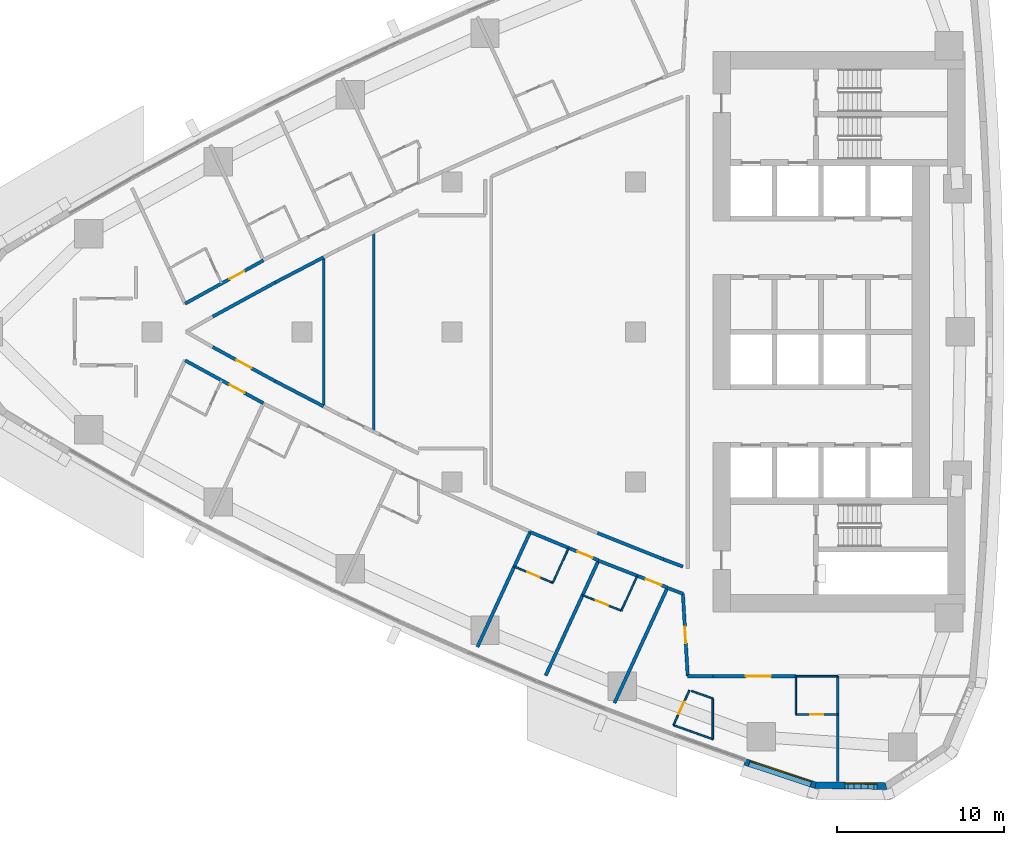
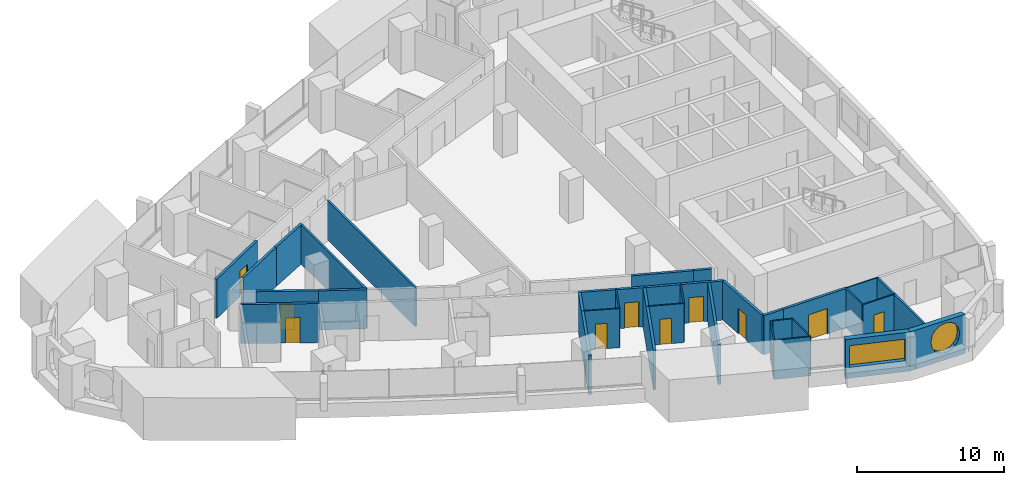
# One storey, part 9 of 17: 33 walls, 11 doors, 2 windows, 13 openings.
"""IFC4 building model written with IfcOpenShell, lengths in metres."""

from ifc_helpers import new_model, si_unit, direction, frame, frame_2d, origin, place, context, subcontext, project, spatial, polyline, rectangle, outline, extrude, material, layer, layer_set, type_object, element, fill, save


model = new_model("IFC4")

# Units and contexts
model_context = context("Model", 3, precision=1e-05, world=origin(), true_north=direction((0.0, 1.0)))
body_context = subcontext(model_context, "Body", "Model", "MODEL_VIEW")
ifc_project = project(units=[si_unit("LENGTHUNIT", "METRE"), si_unit("AREAUNIT", "SQUARE_METRE"), si_unit("VOLUMEUNIT", "CUBIC_METRE"), si_unit("PLANEANGLEUNIT", "RADIAN"), si_unit("MASSUNIT", "GRAM", prefix="KILO")], contexts=[model_context])

# Site, building, storey
site_placement = place(None, origin())
site = spatial("IfcSite", under=ifc_project, at=site_placement, CompositionType="ELEMENT")
building_placement = place(site_placement, origin())
building = spatial("IfcBuilding", under=site, at=building_placement, Name="Ostrand Prow Hotel Tower", CompositionType="ELEMENT")
storey_placement = place(building_placement, frame((0.0, 0.0, 113.300048828125)))
storey = spatial("IfcBuildingStorey", under=building, at=storey_placement, Name="L27", CompositionType="ELEMENT", Elevation=113.300048828125)

# Wall
ifc_material_1 = material(Name="Plasterboard partition")
ifc_layer_1 = layer(ifc_material_1, 0.10009765625)
ifc_layer_set_1 = layer_set([ifc_layer_1], Name="Plasterboard partition")
wall_type_1 = type_object("IfcWallType", Name="Partition 100 bathroom wall", PredefinedType="PARTITIONING", material=ifc_layer_set_1)
wall_1_placement = place(storey_placement, frame((54.630615234375, -22.949951171875, 0.0), z_axis=(0.0, 0.0, 1.0), x_axis=(0.0, 1.0, 0.0)))
element("IfcWall", 1, at=wall_1_placement, inside=storey, type_object=wall_type_1, Name="BATHROOM WALL", PredefinedType="PARTITIONING", context=body_context, shape_type="SweptSolid", body=[
    extrude(rectangle(XDim=2.300048828125, YDim=0.10009765625, at=frame_2d((1.14990234375, 0.0))), origin(), (0.0, 0.0, 1.0), 3.25),
])

# Wall, opening, door
wall_2_placement = place(storey_placement, frame((57.130615234375, -22.949951171875, 0.0), z_axis=(0.0, 0.0, 1.0), x_axis=(-1.0, 0.0, 0.0)))
wall_2 = element("IfcWall", 2, at=wall_2_placement, inside=storey, type_object=wall_type_1, Name="BATHROOM WALL", PredefinedType="PARTITIONING", context=body_context, shape_type="SweptSolid", body=[
    extrude(rectangle(XDim=2.5, YDim=0.10009765625, at=frame_2d((1.25, 0.0))), origin(), (0.0, 0.0, 1.0), 3.25),
])
opening_1_placement = place(wall_2_placement, frame((0.85009765625, 0.0, 0.0)))
opening_1 = element("IfcOpeningElement", 3, at=opening_1_placement, cuts=wall_2, Name="Opening D2", PredefinedType="OPENING", context=body_context, shape_type="SweptSolid", body=[
    extrude(rectangle(XDim=0.800048828125, YDim=2.10009765625, at=frame_2d((0.39990234375, 1.050048828125))), frame((0.0, 0.06005859375, 0.0), z_axis=(0.0, -1.0, 0.0), x_axis=(1.0, 0.0, 0.0)), (0.0, 0.0, 1.0), 0.1201171875),
])
ifc_material_2 = material(Name="Timber door leaf", Category="wood")
door_type_1 = type_object("IfcDoorType", Name="Bathroom door 800", OperationType="SINGLE_SWING_LEFT", PredefinedType="DOOR", material=ifc_material_2)
door_1_placement = place(opening_1_placement, origin())
door_1 = element("IfcDoor", 4, at=door_1_placement, inside=storey, type_object=door_type_1, Name="DOOR", OperationType="SINGLE_SWING_LEFT", OverallHeight=2.10009765625, OverallWidth=0.800048828125, PredefinedType="DOOR", context=body_context, shape_type="SweptSolid", body=[
    extrude(rectangle(XDim=0.800048828125, YDim=2.10009765625, at=frame_2d((0.39990234375, 1.050048828125))), frame((0.0, 0.02490234375, 0.0), z_axis=(0.0, -1.0, 0.0), x_axis=(1.0, 0.0, 0.0)), (0.0, 0.0, 1.0), 0.050048828125),
])
fill(opening_1, door_1)

# Wall
wall_3_placement = place(storey_placement, frame((40.99853515625, -12.983642578125, 0.0), z_axis=(0.0, 0.0, 1.0), x_axis=(-0.417433204355, -0.908707609686, 0.0)))
element("IfcWall", 5, at=wall_3_placement, inside=storey, type_object=wall_type_1, Name="BATHROOM WALL", PredefinedType="PARTITIONING", context=body_context, shape_type="SweptSolid", body=[
    extrude(rectangle(XDim=2.278076171875, YDim=0.10009765625, at=frame_2d((1.13916015625, 0.0))), origin(), (0.0, 0.0, 1.0), 3.25),
])

# Wall, opening, door
wall_4_placement = place(storey_placement, frame((40.047607421875, -15.0537109375, 0.0), z_axis=(0.0, 0.0, 1.0), x_axis=(-0.921042675983, 0.38946166566, 0.0)))
wall_4 = element("IfcWall", 6, at=wall_4_placement, inside=storey, type_object=wall_type_1, Name="BATHROOM WALL", PredefinedType="PARTITIONING", context=body_context, shape_type="SweptSolid", body=[
    extrude(rectangle(XDim=2.501220703125, YDim=0.10009765625, at=frame_2d((1.25048828125, 0.0))), origin(), (0.0, 0.0, 1.0), 3.25),
])
opening_2_placement = place(wall_4_placement, frame((0.85009765625, 0.0, 0.0)))
opening_2 = element("IfcOpeningElement", 7, at=opening_2_placement, cuts=wall_4, Name="Opening D2", PredefinedType="OPENING", context=body_context, shape_type="SweptSolid", body=[
    extrude(rectangle(XDim=0.800048828125, YDim=2.10009765625, at=frame_2d((0.39990234375, 1.050048828125))), frame((0.0, 0.06005859375, 0.0), z_axis=(0.0, -1.0, 0.0), x_axis=(1.0, 0.0, 0.0)), (0.0, 0.0, 1.0), 0.1201171875),
])
door_2_placement = place(opening_2_placement, origin())
door_2 = element("IfcDoor", 8, at=door_2_placement, inside=storey, type_object=door_type_1, Name="DOOR", OperationType="SINGLE_SWING_LEFT", OverallHeight=2.10009765625, OverallWidth=0.800048828125, PredefinedType="DOOR", context=body_context, shape_type="SweptSolid", body=[
    extrude(rectangle(XDim=0.800048828125, YDim=2.10009765625, at=frame_2d((0.39990234375, 1.050048828125))), frame((0.0, 0.02490234375, 0.0), z_axis=(0.0, -1.0, 0.0), x_axis=(1.0, 0.0, 0.0)), (0.0, 0.0, 1.0), 0.050048828125),
])
fill(opening_2, door_2)

# Wall
wall_5_placement = place(storey_placement, frame((45.1142578125, -14.65478515625, 0.0), z_axis=(0.0, 0.0, 1.0), x_axis=(-0.417373525971, -0.908735021785, 0.0)))
element("IfcWall", 9, at=wall_5_placement, inside=storey, type_object=wall_type_1, Name="BATHROOM WALL", PredefinedType="PARTITIONING", context=body_context, shape_type="SweptSolid", body=[
    extrude(rectangle(XDim=2.280029296875, YDim=0.10009765625, at=frame_2d((1.14013671875, 0.0))), origin(), (0.0, 0.0, 1.0), 3.25),
])

# Wall, opening, door
wall_6_placement = place(storey_placement, frame((44.16259765625, -16.726806640625, 0.0), z_axis=(0.0, 0.0, 1.0), x_axis=(-0.928638024739, 0.370987087388, 0.0)))
wall_6 = element("IfcWall", 10, at=wall_6_placement, inside=storey, type_object=wall_type_1, Name="BATHROOM WALL", PredefinedType="PARTITIONING", context=body_context, shape_type="SweptSolid", body=[
    extrude(rectangle(XDim=2.50341796875, YDim=0.10009765625, at=frame_2d((1.251708984375, 0.0))), origin(), (0.0, 0.0, 1.0), 3.25),
])
opening_3_placement = place(wall_6_placement, frame((0.85009765625, 0.0, 0.0)))
opening_3 = element("IfcOpeningElement", 11, at=opening_3_placement, cuts=wall_6, Name="Opening D2", PredefinedType="OPENING", context=body_context, shape_type="SweptSolid", body=[
    extrude(rectangle(XDim=0.800048828125, YDim=2.10009765625, at=frame_2d((0.39990234375, 1.050048828125))), frame((0.0, 0.06005859375, 0.0), z_axis=(0.0, -1.0, 0.0), x_axis=(1.0, 0.0, 0.0)), (0.0, 0.0, 1.0), 0.1201171875),
])
door_3_placement = place(opening_3_placement, origin())
door_3 = element("IfcDoor", 12, at=door_3_placement, inside=storey, type_object=door_type_1, Name="DOOR", OperationType="SINGLE_SWING_LEFT", OverallHeight=2.10009765625, OverallWidth=0.800048828125, PredefinedType="DOOR", context=body_context, shape_type="SweptSolid", body=[
    extrude(rectangle(XDim=0.800048828125, YDim=2.10009765625, at=frame_2d((0.39990234375, 1.050048828125))), frame((0.0, 0.02490234375, 0.0), z_axis=(0.0, -1.0, 0.0), x_axis=(1.0, 0.0, 0.0)), (0.0, 0.0, 1.0), 0.050048828125),
])
fill(opening_3, door_3)

# Wall
wall_7_placement = place(storey_placement, frame((48.36279296875, -21.5400390625, 0.0), z_axis=(0.0, 0.0, 1.0), x_axis=(0.942692856107, -0.333661773425, 0.0)))
element("IfcWall", 13, at=wall_7_placement, inside=storey, type_object=wall_type_1, Name="BATHROOM WALL", PredefinedType="PARTITIONING", context=body_context, shape_type="SweptSolid", body=[
    extrude(rectangle(XDim=1.365234375, YDim=0.10009765625, at=frame_2d((0.6826171875, 0.0))), origin(), (0.0, 0.0, 1.0), 3.25),
])

# Wall, opening, door
wall_8_placement = place(storey_placement, frame((47.285888671875, -23.59228515625, 0.0), z_axis=(0.0, 0.0, 1.0), x_axis=(0.41749308293, 0.908680100864, 0.0)))
wall_8 = element("IfcWall", 14, at=wall_8_placement, inside=storey, type_object=wall_type_1, Name="BATHROOM WALL", PredefinedType="PARTITIONING", context=body_context, shape_type="SweptSolid", body=[
    extrude(rectangle(XDim=2.3056640625, YDim=0.10009765625, at=frame_2d((1.15283203125, 0.0))), origin(), (0.0, 0.0, 1.0), 3.25),
])
opening_4_placement = place(wall_8_placement, frame((0.75, 0.0, 0.0)))
opening_4 = element("IfcOpeningElement", 15, at=opening_4_placement, cuts=wall_8, Name="Opening D2", PredefinedType="OPENING", context=body_context, shape_type="SweptSolid", body=[
    extrude(rectangle(XDim=0.800048828125, YDim=2.10009765625, at=frame_2d((0.39990234375, 1.050048828125))), frame((0.0, 0.06005859375, 0.0), z_axis=(0.0, -1.0, 0.0), x_axis=(1.0, 0.0, 0.0)), (0.0, 0.0, 1.0), 0.1201171875),
])
door_4_placement = place(opening_4_placement, origin())
door_4 = element("IfcDoor", 16, at=door_4_placement, inside=storey, type_object=door_type_1, Name="DOOR", OperationType="SINGLE_SWING_LEFT", OverallHeight=2.10009765625, OverallWidth=0.800048828125, PredefinedType="DOOR", context=body_context, shape_type="SweptSolid", body=[
    extrude(rectangle(XDim=0.800048828125, YDim=2.10009765625, at=frame_2d((0.39990234375, 1.050048828125))), frame((0.0, 0.02490234375, 0.0), z_axis=(0.0, -1.0, 0.0), x_axis=(1.0, 0.0, 0.0)), (0.0, 0.0, 1.0), 0.050048828125),
])
fill(opening_4, door_4)

# Walls
wall_9_placement = place(storey_placement, frame((54.630615234375, -20.655029296875, 0.0), z_axis=(0.0, 0.0, 1.0), x_axis=(1.0, 0.0, 0.0)))
element("IfcWall", 17, at=wall_9_placement, inside=storey, type_object=wall_type_1, Name="BATHROOM WALL", PredefinedType="PARTITIONING", context=body_context, shape_type="SweptSolid", body=[
    extrude(rectangle(XDim=2.5, YDim=0.10009765625, at=frame_2d((1.25, 0.0))), origin(), (0.0, 0.0, 1.0), 3.25),
])
wall_10_placement = place(storey_placement, frame((49.64990234375, -21.99560546875, 0.0), z_axis=(0.0, 0.0, 1.0), x_axis=(0.0, -1.0, 0.0)))
element("IfcWall", 18, at=wall_10_placement, inside=storey, type_object=wall_type_1, Name="BATHROOM WALL", PredefinedType="PARTITIONING", context=body_context, shape_type="SweptSolid", body=[
    extrude(rectangle(XDim=2.439453125, YDim=0.10009765625, at=frame_2d((1.2197265625, 0.0))), origin(), (0.0, 0.0, 1.0), 3.25),
])
wall_11_placement = place(storey_placement, frame((49.64990234375, -24.43505859375, 0.0), z_axis=(0.0, 0.0, 1.0), x_axis=(-0.941933231826, 0.335800218555, 0.0)))
element("IfcWall", 19, at=wall_11_placement, inside=storey, type_object=wall_type_1, Name="BATHROOM WALL", PredefinedType="PARTITIONING", context=body_context, shape_type="SweptSolid", body=[
    extrude(rectangle(XDim=2.509765625, YDim=0.10009765625, at=frame_2d((1.2548828125, 0.0))), origin(), (0.0, 0.0, 1.0), 3.25),
])
ifc_material_3 = material(Name="Plasterboard partition")
ifc_layer_2 = layer(ifc_material_3, 0.14990234375)
ifc_layer_set_2 = layer_set([ifc_layer_2], Name="Plasterboard partition")
wall_type_2 = type_object("IfcWallType", Name="Partition 150 room partition", PredefinedType="PARTITIONING", material=ifc_layer_set_2)
wall_12_placement = place(storey_placement, frame((57.130615234375, -26.97900390625, 0.0), z_axis=(0.0, 0.0, 1.0), x_axis=(0.0, 1.0, 0.0)))
element("IfcWall", 20, at=wall_12_placement, inside=storey, type_object=wall_type_2, Name="ROOM PARTITION", PredefinedType="PARTITIONING", context=body_context, shape_type="SweptSolid", body=[
    extrude(rectangle(XDim=6.3291015625, YDim=0.14990234375, at=frame_2d((3.16455078125, 0.0))), origin(), (0.0, 0.0, 1.0), 3.25),
])
wall_13_placement = place(storey_placement, frame((26.30810546875, -4.47314453125, 0.0), z_axis=(0.0, 0.0, 1.0), x_axis=(0.0, 1.0, 0.0)))
element("IfcWall", 21, at=wall_13_placement, inside=storey, type_object=wall_type_2, Name="ROOM PARTITION", PredefinedType="PARTITIONING", context=body_context, shape_type="SweptSolid", body=[
    extrude(rectangle(XDim=8.9462890625, YDim=0.14990234375, at=frame_2d((4.47314453125, 0.0))), origin(), (0.0, 0.0, 1.0), 3.25),
])
wall_14_placement = place(storey_placement, frame((29.30810546875, -5.982666015625, 0.0), z_axis=(0.0, 0.0, 1.0), x_axis=(0.0, 1.0, 0.0)))
element("IfcWall", 22, at=wall_14_placement, inside=storey, type_object=wall_type_2, Name="ROOM PARTITION", PredefinedType="PARTITIONING", context=body_context, shape_type="SweptSolid", body=[
    extrude(rectangle(XDim=11.96533203125, YDim=0.14990234375, at=frame_2d((5.982666015625, 0.0))), origin(), (0.0, 0.0, 1.0), 3.25),
])

# Wall, opening, door
ifc_material_4 = material(Name="Plasterboard partition")
ifc_layer_3 = layer(ifc_material_4, 0.199951171875)
ifc_layer_set_3 = layer_set([ifc_layer_3], Name="Plasterboard partition")
wall_type_3 = type_object("IfcWallType", Name="Partition 200 corridor wall", PredefinedType="PARTITIONING", material=ifc_layer_set_3)
wall_15_placement = place(storey_placement, frame((18.0, 1.691650390625, 0.0), z_axis=(0.0, 0.0, 1.0), x_axis=(0.875548487611, 0.483130257634, 0.0)))
wall_15 = element("IfcWall", 23, at=wall_15_placement, inside=storey, type_object=wall_type_3, Name="CORRIDOR WALL", PredefinedType="PARTITIONING", context=body_context, shape_type="SweptSolid", body=[
    extrude(rectangle(XDim=5.36669921875, YDim=0.199951171875, at=frame_2d((2.683349609375, 0.0))), origin(), (0.0, 0.0, 1.0), 3.25),
])
opening_5_placement = place(wall_15_placement, frame((3.050048828125, 0.0, 0.0)))
opening_5 = element("IfcOpeningElement", 24, at=opening_5_placement, cuts=wall_15, Name="Opening D1", PredefinedType="OPENING", context=body_context, shape_type="SweptSolid", body=[
    extrude(rectangle(XDim=1.0, YDim=2.10009765625, at=frame_2d((0.5, 1.050048828125))), frame((0.0, 0.10986328125, 0.0), z_axis=(0.0, -1.0, 0.0), x_axis=(1.0, 0.0, 0.0)), (0.0, 0.0, 1.0), 0.219970703125),
])
ifc_material_5 = material(Name="Timber door leaf", Category="wood")
door_type_2 = type_object("IfcDoorType", Name="Guest room door 1000", OperationType="SINGLE_SWING_LEFT", PredefinedType="DOOR", material=ifc_material_5)
door_5_placement = place(opening_5_placement, origin())
door_5 = element("IfcDoor", 25, at=door_5_placement, inside=storey, type_object=door_type_2, Name="DOOR", OperationType="SINGLE_SWING_LEFT", OverallHeight=2.10009765625, OverallWidth=1.0, PredefinedType="DOOR", context=body_context, shape_type="SweptSolid", body=[
    extrude(rectangle(XDim=1.0, YDim=2.10009765625, at=frame_2d((0.5, 1.050048828125))), frame((0.0, 0.02490234375, 0.0), z_axis=(0.0, -1.0, 0.0), x_axis=(1.0, 0.0, 0.0)), (0.0, 0.0, 1.0), 0.050048828125),
])
fill(opening_5, door_5)

wall_16_placement = place(storey_placement, frame((18.0, -1.714599609375, 0.0), z_axis=(0.0, 0.0, 1.0), x_axis=(0.877354946945, -0.479841950096, 0.0)))
wall_16 = element("IfcWall", 26, at=wall_16_placement, inside=storey, type_object=wall_type_3, Name="CORRIDOR WALL", PredefinedType="PARTITIONING", context=body_context, shape_type="SweptSolid", body=[
    extrude(rectangle(XDim=5.35546875, YDim=0.199951171875, at=frame_2d((2.677734375, 0.0))), origin(), (0.0, 0.0, 1.0), 3.25),
])
opening_6_placement = place(wall_16_placement, frame((3.050048828125, 0.0, 0.0)))
opening_6 = element("IfcOpeningElement", 27, at=opening_6_placement, cuts=wall_16, Name="Opening D1R", PredefinedType="OPENING", context=body_context, shape_type="SweptSolid", body=[
    extrude(rectangle(XDim=1.0, YDim=2.10009765625, at=frame_2d((0.5, 1.050048828125))), frame((0.0, 0.10986328125, 0.0), z_axis=(0.0, -1.0, 0.0), x_axis=(1.0, 0.0, 0.0)), (0.0, 0.0, 1.0), 0.219970703125),
])
ifc_material_6 = material(Name="Timber door leaf", Category="wood")
door_type_3 = type_object("IfcDoorType", Name="Guest room door 1000 right", OperationType="SINGLE_SWING_RIGHT", PredefinedType="DOOR", material=ifc_material_6)
door_6_placement = place(opening_6_placement, origin())
door_6 = element("IfcDoor", 28, at=door_6_placement, inside=storey, type_object=door_type_3, Name="DOOR", OperationType="SINGLE_SWING_RIGHT", OverallHeight=2.10009765625, OverallWidth=1.0, PredefinedType="DOOR", context=body_context, shape_type="SweptSolid", body=[
    extrude(rectangle(XDim=1.0, YDim=2.10009765625, at=frame_2d((0.5, 1.050048828125))), frame((0.0, 0.02490234375, 0.0), z_axis=(0.0, -1.0, 0.0), x_axis=(1.0, 0.0, 0.0)), (0.0, 0.0, 1.0), 0.050048828125),
])
fill(opening_6, door_6)

wall_17_placement = place(storey_placement, frame((38.696044921875, -12.0068359375, 0.0), z_axis=(0.0, 0.0, 1.0), x_axis=(0.923970612896, -0.382463470811, 0.0)))
wall_17 = element("IfcWall", 29, at=wall_17_placement, inside=storey, type_object=wall_type_3, Name="CORRIDOR WALL", PredefinedType="PARTITIONING", context=body_context, shape_type="SweptSolid", body=[
    extrude(rectangle(XDim=4.44091796875, YDim=0.199951171875, at=frame_2d((2.220458984375, 0.0))), origin(), (0.0, 0.0, 1.0), 3.25),
])
opening_7_placement = place(wall_17_placement, frame((3.050048828125, 0.0, 0.0)))
opening_7 = element("IfcOpeningElement", 30, at=opening_7_placement, cuts=wall_17, Name="Opening D1R", PredefinedType="OPENING", context=body_context, shape_type="SweptSolid", body=[
    extrude(rectangle(XDim=1.0, YDim=2.10009765625, at=frame_2d((0.5, 1.050048828125))), frame((0.0, 0.10986328125, 0.0), z_axis=(0.0, -1.0, 0.0), x_axis=(1.0, 0.0, 0.0)), (0.0, 0.0, 1.0), 0.219970703125),
])
door_7_placement = place(opening_7_placement, origin())
door_7 = element("IfcDoor", 31, at=door_7_placement, inside=storey, type_object=door_type_3, Name="DOOR", OperationType="SINGLE_SWING_RIGHT", OverallHeight=2.10009765625, OverallWidth=1.0, PredefinedType="DOOR", context=body_context, shape_type="SweptSolid", body=[
    extrude(rectangle(XDim=1.0, YDim=2.10009765625, at=frame_2d((0.5, 1.050048828125))), frame((0.0, 0.02490234375, 0.0), z_axis=(0.0, -1.0, 0.0), x_axis=(1.0, 0.0, 0.0)), (0.0, 0.0, 1.0), 0.050048828125),
])
fill(opening_7, door_7)

wall_18_placement = place(storey_placement, frame((42.791015625, -13.7236328125, 0.0), z_axis=(0.0, 0.0, 1.0), x_axis=(0.931672401616, -0.363299512891, 0.0)))
wall_18 = element("IfcWall", 32, at=wall_18_placement, inside=storey, type_object=wall_type_3, Name="CORRIDOR WALL", PredefinedType="PARTITIONING", context=body_context, shape_type="SweptSolid", body=[
    extrude(rectangle(XDim=4.4453125, YDim=0.199951171875, at=frame_2d((2.22265625, 0.0))), origin(), (0.0, 0.0, 1.0), 3.25),
])
opening_8_placement = place(wall_18_placement, frame((3.050048828125, 0.0, 0.0)))
opening_8 = element("IfcOpeningElement", 33, at=opening_8_placement, cuts=wall_18, Name="Opening D1R", PredefinedType="OPENING", context=body_context, shape_type="SweptSolid", body=[
    extrude(rectangle(XDim=1.0, YDim=2.10009765625, at=frame_2d((0.5, 1.050048828125))), frame((0.0, 0.10986328125, 0.0), z_axis=(0.0, -1.0, 0.0), x_axis=(1.0, 0.0, 0.0)), (0.0, 0.0, 1.0), 0.219970703125),
])
door_8_placement = place(opening_8_placement, origin())
door_8 = element("IfcDoor", 34, at=door_8_placement, inside=storey, type_object=door_type_3, Name="DOOR", OperationType="SINGLE_SWING_RIGHT", OverallHeight=2.10009765625, OverallWidth=1.0, PredefinedType="DOOR", context=body_context, shape_type="SweptSolid", body=[
    extrude(rectangle(XDim=1.0, YDim=2.10009765625, at=frame_2d((0.5, 1.050048828125))), frame((0.0, 0.02490234375, 0.0), z_axis=(0.0, -1.0, 0.0), x_axis=(1.0, 0.0, 0.0)), (0.0, 0.0, 1.0), 0.050048828125),
])
fill(opening_8, door_8)

wall_19_placement = place(storey_placement, frame((23.40673828125, -2.9619140625, 0.0), z_axis=(0.0, 0.0, 1.0), x_axis=(-0.877465075585, 0.479640533242, 0.0)))
wall_19 = element("IfcWall", 35, at=wall_19_placement, inside=storey, type_object=wall_type_3, Name="CORRIDOR WALL", PredefinedType="PARTITIONING", context=body_context, shape_type="SweptSolid", body=[
    extrude(rectangle(XDim=4.273193359375, YDim=0.199951171875, at=frame_2d((2.13671875, 0.0))), origin(), (0.0, 0.0, 1.0), 3.25),
])
opening_9_placement = place(wall_19_placement, frame((1.636474609375, 0.0, 0.0)))
opening_9 = element("IfcOpeningElement", 36, at=opening_9_placement, cuts=wall_19, Name="Opening D1R", PredefinedType="OPENING", context=body_context, shape_type="SweptSolid", body=[
    extrude(rectangle(XDim=1.0, YDim=2.10009765625, at=frame_2d((0.5, 1.050048828125))), frame((0.0, 0.10986328125, 0.0), z_axis=(0.0, -1.0, 0.0), x_axis=(1.0, 0.0, 0.0)), (0.0, 0.0, 1.0), 0.219970703125),
])
door_9_placement = place(opening_9_placement, origin())
door_9 = element("IfcDoor", 37, at=door_9_placement, inside=storey, type_object=door_type_3, Name="DOOR", OperationType="SINGLE_SWING_RIGHT", OverallHeight=2.10009765625, OverallWidth=1.0, PredefinedType="DOOR", context=body_context, shape_type="SweptSolid", body=[
    extrude(rectangle(XDim=1.0, YDim=2.10009765625, at=frame_2d((0.5, 1.050048828125))), frame((0.0, 0.02490234375, 0.0), z_axis=(0.0, -1.0, 0.0), x_axis=(1.0, 0.0, 0.0)), (0.0, 0.0, 1.0), 0.050048828125),
])
fill(opening_9, door_9)

# Walls
wall_20_placement = place(storey_placement, frame((19.6572265625, 0.912353515625, 0.0), z_axis=(0.0, 0.0, 1.0), x_axis=(0.877465075585, 0.479640533242, 0.0)))
element("IfcWall", 38, at=wall_20_placement, inside=storey, type_object=wall_type_3, Name="CORRIDOR WALL", PredefinedType="PARTITIONING", context=body_context, shape_type="SweptSolid", body=[
    extrude(rectangle(XDim=4.273193359375, YDim=0.199951171875, at=frame_2d((2.13671875, 0.0))), origin(), (0.0, 0.0, 1.0), 3.25),
])
for number, where, z_axis, x_axis, name in (
    (39, (23.40673828125, 2.9619140625, 0.0), (0.0, 0.0, 1.0), (0.886901344009, 0.461958879116, 0.0), "CORRIDOR WALL"),
    (40, (26.30810546875, -4.47314453125, 0.0), (0.0, 0.0, 1.0), (-0.886901344009, 0.461958879116, 0.0), "CORRIDOR WALL"),
):
    element("IfcWall", number, at=place(storey_placement, frame(where, z_axis=z_axis, x_axis=x_axis)), inside=storey, type_object=wall_type_3, Name=name, PredefinedType="PARTITIONING", context=body_context, shape_type="SweptSolid", body=[
        extrude(rectangle(XDim=3.271240234375, YDim=0.199951171875, at=frame_2d((1.6357421875, 0.0))), origin(), (0.0, 0.0, 1.0), 3.25),
    ])
wall_21_placement = place(storey_placement, frame((46.69580078125, -13.646728515625, 0.0), z_axis=(0.0, 0.0, 1.0), x_axis=(-0.928638161177, 0.370986745864, 0.0)))
element("IfcWall", 41, at=wall_21_placement, inside=storey, type_object=wall_type_3, Name="CORRIDOR WALL", PredefinedType="PARTITIONING", context=body_context, shape_type="SweptSolid", body=[
    extrude(rectangle(XDim=4.27294921875, YDim=0.199951171875, at=frame_2d((2.136474609375, 0.0))), origin(), (0.0, 0.0, 1.0), 3.25),
])

# Wall, opening, door
wall_22_placement = place(storey_placement, frame((49.64990234375, -20.655029296875, 0.0), z_axis=(0.0, 0.0, 1.0), x_axis=(1.0, 0.0, 0.0)))
wall_22 = element("IfcWall", 42, at=wall_22_placement, inside=storey, type_object=wall_type_3, Name="CORRIDOR WALL", PredefinedType="PARTITIONING", context=body_context, shape_type="SweptSolid", body=[
    extrude(rectangle(XDim=4.9755859375, YDim=0.199951171875, at=frame_2d((2.48779296875, 0.0))), origin(), (0.0, 0.0, 1.0), 3.25),
])
opening_10_placement = place(wall_22_placement, frame((1.98779296875, 0.0, 0.0)))
opening_10 = element("IfcOpeningElement", 43, at=opening_10_placement, cuts=wall_22, Name="Opening D15", PredefinedType="OPENING", context=body_context, shape_type="SweptSolid", body=[
    extrude(rectangle(XDim=1.5, YDim=2.10009765625, at=frame_2d((0.75, 1.050048828125))), frame((0.0, 0.10986328125, 0.0), z_axis=(0.0, -1.0, 0.0), x_axis=(1.0, 0.0, 0.0)), (0.0, 0.0, 1.0), 0.219970703125),
])
ifc_material_7 = material(Name="Timber door leaf", Category="wood")
door_type_4 = type_object("IfcDoorType", Name="Double door 1500", OperationType="DOUBLE_DOOR_SINGLE_SWING", PredefinedType="DOOR", material=ifc_material_7)
door_10_placement = place(opening_10_placement, origin())
door_10 = element("IfcDoor", 44, at=door_10_placement, inside=storey, type_object=door_type_4, Name="DOOR", OperationType="DOUBLE_DOOR_SINGLE_SWING", OverallHeight=2.10009765625, OverallWidth=1.5, PredefinedType="DOOR", context=body_context, shape_type="SweptSolid", body=[
    extrude(rectangle(XDim=1.5, YDim=2.10009765625, at=frame_2d((0.75, 1.050048828125))), frame((0.0, 0.02490234375, 0.0), z_axis=(0.0, -1.0, 0.0), x_axis=(1.0, 0.0, 0.0)), (0.0, 0.0, 1.0), 0.050048828125),
])
fill(opening_10, door_10)

# Walls
wall_23_placement = place(storey_placement, frame((46.92431640625, -15.356689453125, 0.0), z_axis=(0.0, 0.0, 1.0), x_axis=(0.935803526171, -0.35252199989, 0.0)))
element("IfcWall", 45, at=wall_23_placement, inside=storey, type_object=wall_type_3, Name="CORRIDOR WALL", PredefinedType="PARTITIONING", context=body_context, shape_type="SweptSolid", body=[
    extrude(rectangle(XDim=0.99462890625, YDim=0.199951171875, at=frame_2d((0.497314453125, 0.0))), origin(), (0.0, 0.0, 1.0), 3.25),
])
wall_24_placement = place(storey_placement, frame((47.85498046875, -14.0830078125, 0.0), z_axis=(0.0, 0.0, 1.0), x_axis=(-0.935907269358, 0.352246480696, 0.0)))
element("IfcWall", 46, at=wall_24_placement, inside=storey, type_object=wall_type_3, Name="CORRIDOR WALL", PredefinedType="PARTITIONING", context=body_context, shape_type="SweptSolid", body=[
    extrude(rectangle(XDim=1.238525390625, YDim=0.199951171875, at=frame_2d((0.619140625, 0.0))), origin(), (0.0, 0.0, 1.0), 3.25),
])

# Wall, opening, door
wall_25_placement = place(storey_placement, frame((47.85498046875, -15.707275390625, 0.0), z_axis=(0.0, 0.0, 1.0), x_axis=(0.058568850083, -0.998283371493, 0.0)))
wall_25 = element("IfcWall", 47, at=wall_25_placement, inside=storey, type_object=wall_type_3, Name="CORRIDOR WALL", PredefinedType="PARTITIONING", context=body_context, shape_type="SweptSolid", body=[
    extrude(rectangle(XDim=4.9521484375, YDim=0.199951171875, at=frame_2d((2.47607421875, 0.0))), origin(), (0.0, 0.0, 1.0), 3.25),
])
opening_11_placement = place(wall_25_placement, frame((1.97607421875, 0.0, 0.0)))
opening_11 = element("IfcOpeningElement", 48, at=opening_11_placement, cuts=wall_25, Name="Opening D1", PredefinedType="OPENING", context=body_context, shape_type="SweptSolid", body=[
    extrude(rectangle(XDim=1.0, YDim=2.10009765625, at=frame_2d((0.5, 1.050048828125))), frame((0.0, 0.10986328125, 0.0), z_axis=(0.0, -1.0, 0.0), x_axis=(1.0, 0.0, 0.0)), (0.0, 0.0, 1.0), 0.219970703125),
])
door_11_placement = place(opening_11_placement, origin())
door_11 = element("IfcDoor", 49, at=door_11_placement, inside=storey, type_object=door_type_2, Name="DOOR", OperationType="SINGLE_SWING_LEFT", OverallHeight=2.10009765625, OverallWidth=1.0, PredefinedType="DOOR", context=body_context, shape_type="SweptSolid", body=[
    extrude(rectangle(XDim=1.0, YDim=2.10009765625, at=frame_2d((0.5, 1.050048828125))), frame((0.0, 0.02490234375, 0.0), z_axis=(0.0, -1.0, 0.0), x_axis=(1.0, 0.0, 0.0)), (0.0, 0.0, 1.0), 0.050048828125),
])
fill(opening_11, door_11)

# Walls
wall_26_placement = place(storey_placement, frame((48.14501953125, -20.65087890625, 0.0), z_axis=(0.0, 0.0, 1.0), x_axis=(0.999996196879, -0.002757938895, 0.0)))
element("IfcWall", 50, at=wall_26_placement, inside=storey, type_object=wall_type_3, Name="CORRIDOR WALL", PredefinedType="PARTITIONING", context=body_context, shape_type="SweptSolid", body=[
    extrude(rectangle(XDim=1.5048828125, YDim=0.199951171875, at=frame_2d((0.75244140625, 0.0))), origin(), (0.0, 0.0, 1.0), 3.25),
])
ifc_material_8 = material(Name="Plasterboard partition")
ifc_layer_4 = layer(ifc_material_8, 0.199951171875)
ifc_layer_set_4 = layer_set([ifc_layer_4], Name="Plasterboard partition")
wall_type_4 = type_object("IfcWallType", Name="Partition 200 key partition", PredefinedType="PARTITIONING", material=ifc_layer_set_4)
wall_27_placement = place(storey_placement, frame((35.530517578125, -18.89794921875, 0.0), z_axis=(0.0, 0.0, 1.0), x_axis=(0.417416334044, 0.908715359215, 0.0)))
element("IfcWall", 51, at=wall_27_placement, inside=storey, type_object=wall_type_4, Name="KEY PARTITION", PredefinedType="PARTITIONING", context=body_context, shape_type="SweptSolid", body=[
    extrude(rectangle(XDim=7.603515625, YDim=0.199951171875, at=frame_2d((3.8017578125, 0.0))), origin(), (0.0, 0.0, 1.0), 3.25),
])
wall_28_placement = place(storey_placement, frame((39.622802734375, -20.620361328125, 0.0), z_axis=(0.0, 0.0, 1.0), x_axis=(0.417427858403, 0.908710065438, 0.0)))
element("IfcWall", 52, at=wall_28_placement, inside=storey, type_object=wall_type_4, Name="KEY PARTITION", PredefinedType="PARTITIONING", context=body_context, shape_type="SweptSolid", body=[
    extrude(rectangle(XDim=7.609619140625, YDim=0.199951171875, at=frame_2d((3.8046875, 0.0))), origin(), (0.0, 0.0, 1.0), 3.25),
])
wall_29_placement = place(storey_placement, frame((43.752197265625, -22.261962890625, 0.0), z_axis=(0.0, 0.0, 1.0), x_axis=(0.417437957167, 0.908705426371, 0.0)))
element("IfcWall", 53, at=wall_29_placement, inside=storey, type_object=wall_type_4, Name="KEY PARTITION", PredefinedType="PARTITIONING", context=body_context, shape_type="SweptSolid", body=[
    extrude(rectangle(XDim=7.618896484375, YDim=0.199951171875, at=frame_2d((3.8095703125, 0.0))), origin(), (0.0, 0.0, 1.0), 3.25),
])

# Wall, opening, window
ifc_material_9 = material(Name="Precast concrete C40/50", Category="concrete")
ifc_layer_5 = layer(ifc_material_9, 0.39990234375)
ifc_layer_set_5 = layer_set([ifc_layer_5], Name="Precast concrete C40/50")
wall_type_5 = type_object("IfcWallType", Name="Stone-faced precast wall 400 mm", PredefinedType="NOTDEFINED", material=ifc_layer_set_5)
wall_30_placement = place(storey_placement, frame((51.56884765625, -25.786865234375, 0.0), z_axis=(0.0, 0.0, 1.0), x_axis=(0.94925004851, -0.314522408429, 0.0)))
wall_30 = element("IfcWall", 54, at=wall_30_placement, inside=storey, type_object=wall_type_5, Name="Stone-faced wall back 1", PredefinedType="NOTDEFINED", context=body_context, shape_type="SweptSolid", body=[
    extrude(outline(polyline([(0.0, -0.199951171875), (4.4990234375, -0.199951171875), (4.43701171875, 0.199951171875), (0.0, 0.199951171875), (0.0, -0.199951171875)])), origin(), (0.0, 0.0, 1.0), 3.25),
])
opening_12_placement = place(wall_30_placement, frame((0.283935546875, 0.0, 0.89990234375)))
opening_12 = element("IfcOpeningElement", 55, at=opening_12_placement, cuts=wall_30, Name="Opening WS3-39", PredefinedType="OPENING", context=body_context, shape_type="SweptSolid", body=[
    extrude(rectangle(XDim=3.89990234375, YDim=1.800048828125, at=frame_2d((1.949951171875, 0.89990234375))), frame((0.0, 0.2099609375, 0.0), z_axis=(0.0, -1.0, 0.0), x_axis=(1.0, 0.0, 0.0)), (0.0, 0.0, 1.0), 0.419921875),
])
ifc_material_10 = material(Name="Insulated glass in bronze frame", Category="glass")
window_type_1 = type_object("IfcWindowType", Name="Strip window 3900x1800", PartitioningType="SINGLE_PANEL", PredefinedType="WINDOW", material=ifc_material_10)
window_1_placement = place(opening_12_placement, origin())
window_1 = element("IfcWindow", 56, at=window_1_placement, inside=storey, type_object=window_type_1, Name="Window back 1.1", OverallHeight=1.800048828125, OverallWidth=3.89990234375, PartitioningType="SINGLE_PANEL", PredefinedType="WINDOW", context=body_context, shape_type="SweptSolid", body=[
    extrude(rectangle(XDim=3.89990234375, YDim=1.800048828125, at=frame_2d((1.949951171875, 0.89990234375))), frame((0.0, 0.169921875, 0.0), z_axis=(0.0, -1.0, 0.0), x_axis=(1.0, 0.0, 0.0)), (0.0, 0.0, 1.0), 0.06005859375),
])
fill(opening_12, window_1)

wall_31_placement = place(storey_placement, frame((55.81005859375, -27.192138671875, 0.0), z_axis=(0.0, 0.0, 1.0), x_axis=(0.999919718849, -0.012671063772, 0.0)))
wall_31 = element("IfcWall", 57, at=wall_31_placement, inside=storey, type_object=wall_type_5, Name="Stone-faced wall back 2", PredefinedType="NOTDEFINED", context=body_context, shape_type="SweptSolid", body=[
    extrude(outline(polyline([(-0.031005859375, -0.199951171875), (4.300048828125, -0.199951171875), (4.177490234375, 0.199951171875), (0.031005859375, 0.199951171875), (-0.031005859375, -0.199951171875)])), origin(), (0.0, 0.0, 1.0), 3.25),
])
opening_13_placement = place(wall_31_placement, frame((1.620849609375, 0.0, 0.60009765625)))
opening_13 = element("IfcOpeningElement", 58, at=opening_13_placement, cuts=wall_31, Name="Opening WP1", PredefinedType="OPENING", context=body_context, shape_type="SweptSolid", body=[
    extrude(outline(polyline([(0.0, 1.35009765625), (0.083740234375, 1.77099609375), (0.322265625, 2.127685546875), (0.678955078125, 2.3662109375), (1.10009765625, 2.449951171875), (1.52099609375, 2.3662109375), (1.877685546875, 2.127685546875), (2.1162109375, 1.77099609375), (2.199951171875, 1.35009765625), (2.199951171875, 1.10009765625), (2.1162109375, 0.678955078125), (1.877685546875, 0.322265625), (1.52099609375, 0.083740234375), (1.10009765625, 0.0), (0.678955078125, 0.083740234375), (0.322265625, 0.322265625), (0.083740234375, 0.678955078125), (0.0, 1.099853515625), (0.0, 1.35009765625)])), frame((0.0, 0.2099609375, 0.0), z_axis=(0.0, -1.0, 0.0), x_axis=(1.0, 0.0, 0.0)), (0.0, 0.0, 1.0), 0.419921875),
])
ifc_material_11 = material(Name="Insulated glass in bronze frame", Category="glass")
window_type_2 = type_object("IfcWindowType", Name="Round-ended prow window 2200x2450", PartitioningType="SINGLE_PANEL", PredefinedType="WINDOW", material=ifc_material_11)
window_2_placement = place(opening_13_placement, origin())
window_2 = element("IfcWindow", 59, at=window_2_placement, inside=storey, type_object=window_type_2, Name="Window back 2.1", OverallHeight=2.449951171875, OverallWidth=2.199951171875, PartitioningType="SINGLE_PANEL", PredefinedType="WINDOW", context=body_context, shape_type="SweptSolid", body=[
    extrude(outline(polyline([(0.0, 1.35009765625), (0.083740234375, 1.77099609375), (0.322265625, 2.127685546875), (0.678955078125, 2.3662109375), (1.10009765625, 2.449951171875), (1.52099609375, 2.3662109375), (1.877685546875, 2.127685546875), (2.1162109375, 1.77099609375), (2.199951171875, 1.35009765625), (2.199951171875, 1.10009765625), (2.1162109375, 0.678955078125), (1.877685546875, 0.322265625), (1.52099609375, 0.083740234375), (1.10009765625, 0.0), (0.678955078125, 0.083740234375), (0.322265625, 0.322265625), (0.083740234375, 0.678955078125), (0.0, 1.099853515625), (0.0, 1.35009765625)])), frame((0.0, 0.169921875, 0.0), z_axis=(0.0, -1.0, 0.0), x_axis=(1.0, 0.0, 0.0)), (0.0, 0.0, 1.0), 0.06005859375),
])
fill(opening_13, window_2)

save(model, "model.ifc")
